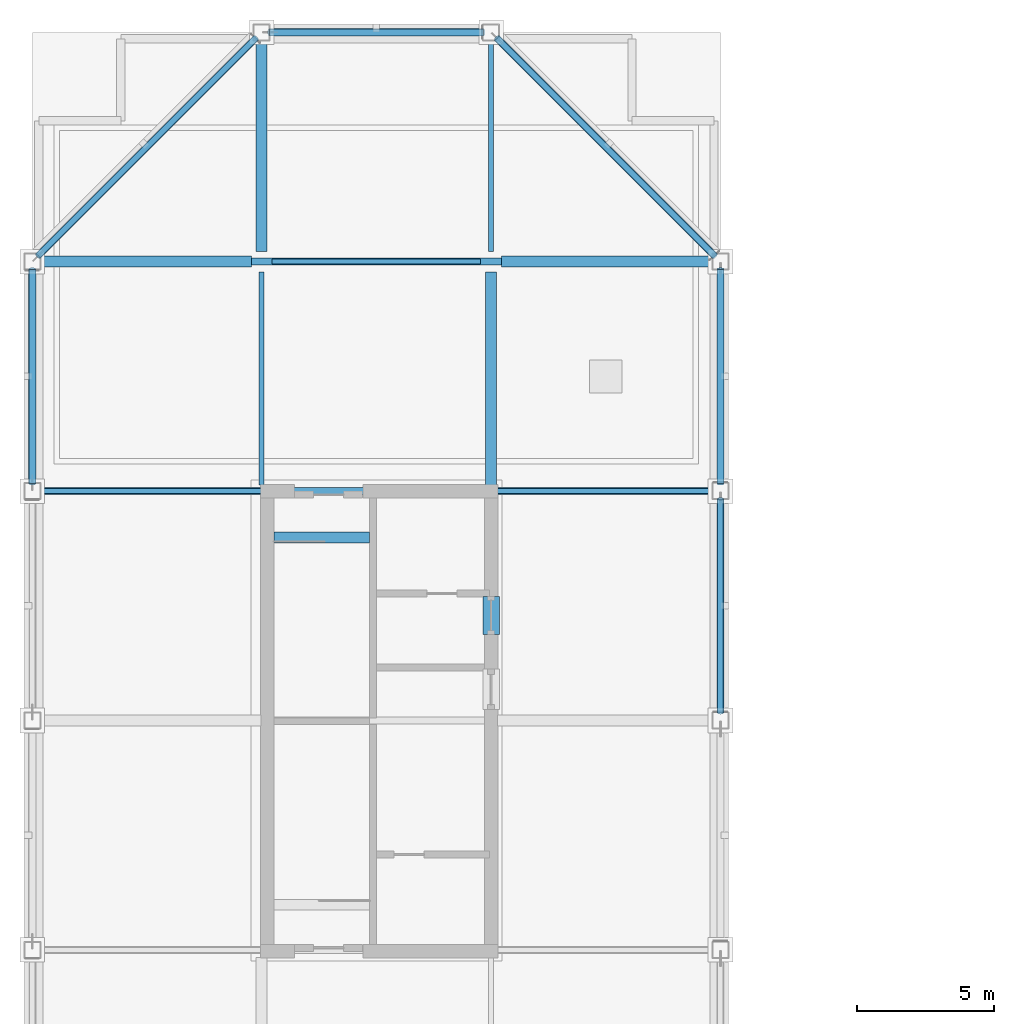
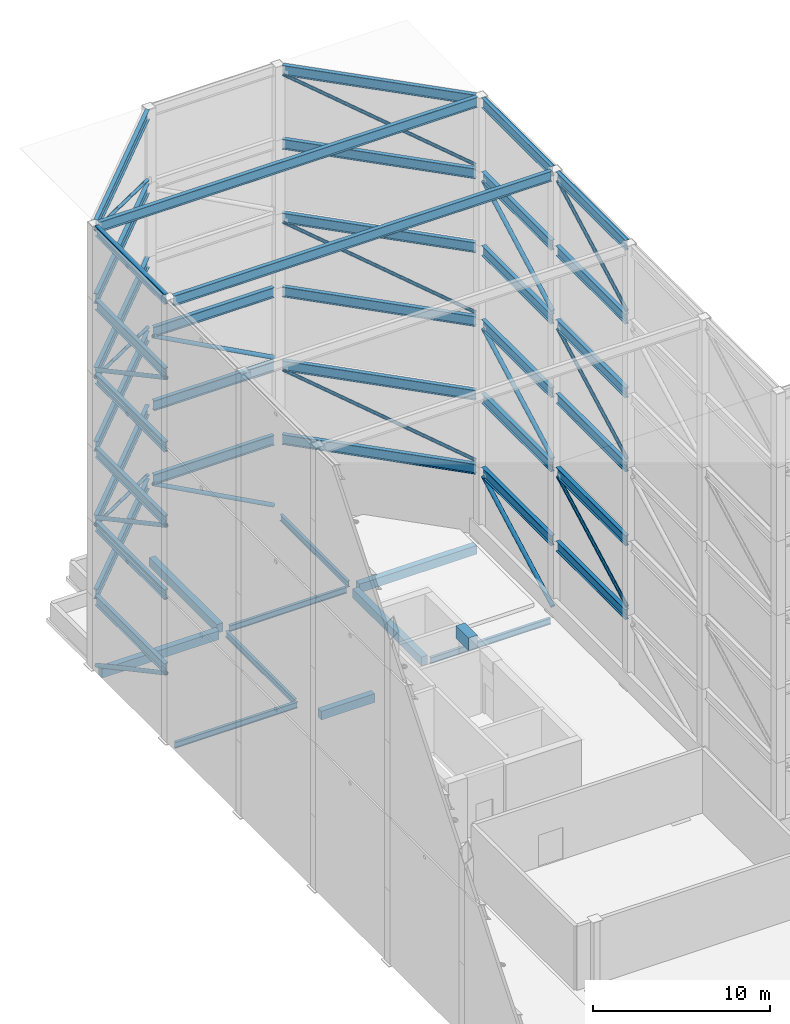
# One storey, part 6 of 17: 46 beams, 17 members.
"""IFC4 building model written with IfcOpenShell, lengths in metres."""

from ifc_helpers import new_model, si_unit, direction, frame, origin, origin_2d, place, context, subcontext, project, spatial, rectangle, hollow_circle, i_section, extrude, material, material_profile, profile_set, type_object, element, save


model = new_model("IFC4")

# Units and contexts
model_context = context("Model", 3, precision=1e-05, world=origin(), true_north=direction((0.0, 1.0)))
body_context = subcontext(model_context, "Body", "Model", "MODEL_VIEW")
ifc_project = project(units=[si_unit("LENGTHUNIT", "METRE"), si_unit("AREAUNIT", "SQUARE_METRE"), si_unit("VOLUMEUNIT", "CUBIC_METRE"), si_unit("PLANEANGLEUNIT", "RADIAN"), si_unit("MASSUNIT", "GRAM", prefix="KILO")], contexts=[model_context])

# Site, building, storey
site_placement = place(None, origin())
site = spatial("IfcSite", under=ifc_project, at=site_placement, CompositionType="ELEMENT")
building_placement = place(site_placement, origin())
building = spatial("IfcBuilding", under=site, at=building_placement, Name="Koriwani Terraces Tower", CompositionType="ELEMENT")
storey_placement = place(building_placement, frame((0.0, 0.0, 374.0)))
storey = spatial("IfcBuildingStorey", under=building, at=storey_placement, Name="RF", CompositionType="ELEMENT", Elevation=374.0)

# Beams
ifc_material_1 = material(Name="Concrete C50/60", Category="concrete")
ifc_material_profile_1 = material_profile(ifc_material_1, rectangle(XDim=0.60009765625, YDim=0.85009765625, at=origin_2d()), Name="Concrete C50/60", Category="LoadBearing")
ifc_profile_set_1 = profile_set([ifc_material_profile_1], Name="Concrete C50/60")
beam_type_1 = type_object("IfcBeamType", Name="BEAM_RC_COUPLING_600X850", PredefinedType="LINTEL", material=ifc_profile_set_1)
beam_1_placement = place(storey_placement, frame((25.199951171875, 53.550048828125, 3.97509765625), z_axis=(0.0, 1.0, 0.0), x_axis=(-1.0, 0.0, 0.0)))
element("IfcBeam", 1, at=beam_1_placement, inside=storey, type_object=beam_type_1, Name="RF Core Coupling Lintel Beam WE2", PredefinedType="LINTEL", context=body_context, shape_type="SweptSolid", body=[
    extrude(rectangle(XDim=0.60009765625, YDim=0.85009765625, at=origin_2d()), origin(), (0.0, 0.0, 1.0), 1.39990234375),
])
ifc_material_2 = material(Name="Concrete C40/50", Category="concrete")
ifc_material_profile_2 = material_profile(ifc_material_2, rectangle(XDim=0.39990234375, YDim=0.60009765625, at=origin_2d()), Name="Concrete C40/50", Category="LoadBearing")
ifc_profile_set_2 = profile_set([ifc_material_profile_2], Name="Concrete C40/50")
beam_type_2 = type_object("IfcBeamType", Name="BEAM_RC_GRID_400X600", PredefinedType="BEAM", material=ifc_profile_set_2)
beam_2_placement = place(storey_placement, frame((17.25, 57.094970703125, -0.300048828125), z_axis=(1.0, 0.0, 0.0), x_axis=(0.0, 1.0, 0.0)))
element("IfcBeam", 2, at=beam_2_placement, inside=storey, type_object=beam_type_2, Name="RF Stairwell Header Trimmer Beam ST-W2", PredefinedType="BEAM", context=body_context, shape_type="SweptSolid", body=[
    extrude(rectangle(XDim=0.39990234375, YDim=0.60009765625, at=origin_2d()), origin(), (0.0, 0.0, 1.0), 3.5),
])
for number, where, z_axis, x_axis, name in (
    (3, (8.780029296875, 67.199951171875, -0.580078125), (1.0, 0.0, 0.0), (0.0, 1.0, 0.0), "RF Grid Beam I (8.4-16.8m)"),
    (4, (25.580078125, 67.199951171875, -0.580078125), (1.0, 0.0, 0.0), (0.0, 1.0, 0.0), "RF Grid Beam I (25.2-33.6m)"),
    (5, (16.800048828125, 67.580078125, -0.580078125), (0.0, 1.0, 0.0), (-1.0, 0.0, 0.0), "RF Grid Beam 3 (67.2-75.6m)"),
):
    element("IfcBeam", number, at=place(storey_placement, frame(where, z_axis=z_axis, x_axis=x_axis)), inside=storey, type_object=beam_type_2, Name=name, PredefinedType="BEAM", context=body_context, shape_type="SweptSolid", body=[
        extrude(rectangle(XDim=0.39990234375, YDim=0.60009765625, at=origin_2d()), origin(), (0.0, 0.0, 1.0), 7.639892578125),
    ])
beam_3_placement = place(storey_placement, frame((25.199951171875, 59.030029296875, -0.580078125), z_axis=(0.0, 1.0, 0.0), x_axis=(-1.0, 0.0, 0.0)))
element("IfcBeam", 6, at=beam_3_placement, inside=storey, type_object=beam_type_2, Name="RF Grid Beam 4 (58.8-67.2m)", PredefinedType="BEAM", context=body_context, shape_type="SweptSolid", body=[
    extrude(rectangle(XDim=0.39990234375, YDim=0.60009765625, at=origin_2d()), origin(), (0.0, 0.0, 1.0), 7.7900390625),
])
ifc_material_3 = material(Name="Steel ASTM A572 Grade 50", Category="steel")
ifc_material_profile_3 = material_profile(ifc_material_3, i_section(OverallWidth=0.256103515625, OverallDepth=0.693115234375, WebThickness=0.014404296875, FlangeThickness=0.023681640625, at=origin_2d()), Name="Steel ASTM A572 Grade 50", Category="LoadBearing")
ifc_profile_set_3 = profile_set([ifc_material_profile_3], Name="Steel ASTM A572 Grade 50")
beam_type_3 = type_object("IfcBeamType", Name="CROWN_FRAME_BEAM_W690X170", PredefinedType="USERDEFINED", material=ifc_profile_set_3)
beam_4_placement = place(storey_placement, frame((33.60009765625, 50.679931640625, 20.013427734375), z_axis=(0.0, 1.0, 0.0), x_axis=(-1.0, 0.0, 0.0)))
element("IfcBeam", 7, at=beam_4_placement, inside=storey, type_object=beam_type_3, Name="CROWN FRAME Tier 4 Ring Beam S14", ObjectType="CROWN FRAME", PredefinedType="USERDEFINED", context=body_context, shape_type="SweptSolid", body=[
    extrude(i_section(OverallWidth=0.256103515625, OverallDepth=0.693115234375, WebThickness=0.014404296875, FlangeThickness=0.023681640625, at=origin_2d()), origin(), (0.0, 0.0, 1.0), 7.840087890625),
])
beam_5_placement = place(storey_placement, frame((33.60009765625, 59.080078125, 20.013427734375), z_axis=(0.0, 1.0, 0.0), x_axis=(-1.0, 0.0, 0.0)))
element("IfcBeam", 8, at=beam_5_placement, inside=storey, type_object=beam_type_3, Name="CROWN FRAME Tier 4 Ring Beam S15", ObjectType="CROWN FRAME", PredefinedType="USERDEFINED", context=body_context, shape_type="SweptSolid", body=[
    extrude(i_section(OverallWidth=0.256103515625, OverallDepth=0.693115234375, WebThickness=0.014404296875, FlangeThickness=0.023681640625, at=origin_2d()), origin(), (0.0, 0.0, 1.0), 7.83984375),
])
for number, where, z_axis, x_axis, name in (
    (9, (33.402099609375, 67.39794921875, 20.013427734375), (-0.707106781187, 0.707106781187, 0.0), (-0.707106781187, -0.707106781187, 0.0), "CROWN FRAME Tier 4 Ring Beam S16"),
    (10, (16.60205078125, 75.402099609375, 20.013427734375), (-0.707106781187, -0.707106781187, 0.0), (0.707106781187, -0.707106781187, 0.0), "CROWN FRAME Tier 4 Ring Beam S18"),
):
    element("IfcBeam", number, at=place(storey_placement, frame(where, z_axis=z_axis, x_axis=x_axis)), inside=storey, type_object=beam_type_3, Name=name, ObjectType="CROWN FRAME", PredefinedType="USERDEFINED", context=body_context, shape_type="SweptSolid", body=[
        extrude(i_section(OverallWidth=0.256103515625, OverallDepth=0.693115234375, WebThickness=0.014404296875, FlangeThickness=0.023681640625, at=origin_2d()), origin(), (0.0, 0.0, 1.0), 11.319580078125),
    ])
beam_6_placement = place(storey_placement, frame((8.39990234375, 66.919921875, 20.013427734375), z_axis=(0.0, -1.0, 0.0), x_axis=(1.0, 0.0, 0.0)))
element("IfcBeam", 11, at=beam_6_placement, inside=storey, type_object=beam_type_3, Name="CROWN FRAME Tier 4 Ring Beam S19", ObjectType="CROWN FRAME", PredefinedType="USERDEFINED", context=body_context, shape_type="SweptSolid", body=[
    extrude(i_section(OverallWidth=0.256103515625, OverallDepth=0.693115234375, WebThickness=0.014404296875, FlangeThickness=0.023681640625, at=origin_2d()), origin(), (0.0, 0.0, 1.0), 7.83984375),
])
beam_7_placement = place(storey_placement, frame((33.60009765625, 50.679931640625, 25.103515625), z_axis=(0.0, 1.0, 0.0), x_axis=(-1.0, 0.0, 0.0)))
element("IfcBeam", 12, at=beam_7_placement, inside=storey, type_object=beam_type_3, Name="CROWN FRAME Tier 5 Ring Beam S14", ObjectType="CROWN FRAME", PredefinedType="USERDEFINED", context=body_context, shape_type="SweptSolid", body=[
    extrude(i_section(OverallWidth=0.256103515625, OverallDepth=0.693115234375, WebThickness=0.014404296875, FlangeThickness=0.023681640625, at=origin_2d()), origin(), (0.0, 0.0, 1.0), 7.840087890625),
])
beam_8_placement = place(storey_placement, frame((33.60009765625, 59.080078125, 25.103515625), z_axis=(0.0, 1.0, 0.0), x_axis=(-1.0, 0.0, 0.0)))
element("IfcBeam", 13, at=beam_8_placement, inside=storey, type_object=beam_type_3, Name="CROWN FRAME Tier 5 Ring Beam S15", ObjectType="CROWN FRAME", PredefinedType="USERDEFINED", context=body_context, shape_type="SweptSolid", body=[
    extrude(i_section(OverallWidth=0.256103515625, OverallDepth=0.693115234375, WebThickness=0.014404296875, FlangeThickness=0.023681640625, at=origin_2d()), origin(), (0.0, 0.0, 1.0), 7.83984375),
])
for number, where, z_axis, x_axis, name in (
    (14, (33.402099609375, 67.39794921875, 25.103515625), (-0.707106781187, 0.707106781187, 0.0), (-0.707106781187, -0.707106781187, 0.0), "CROWN FRAME Tier 5 Ring Beam S16"),
    (15, (16.60205078125, 75.402099609375, 25.103515625), (-0.707106781187, -0.707106781187, 0.0), (0.707106781187, -0.707106781187, 0.0), "CROWN FRAME Tier 5 Ring Beam S18"),
):
    element("IfcBeam", number, at=place(storey_placement, frame(where, z_axis=z_axis, x_axis=x_axis)), inside=storey, type_object=beam_type_3, Name=name, ObjectType="CROWN FRAME", PredefinedType="USERDEFINED", context=body_context, shape_type="SweptSolid", body=[
        extrude(i_section(OverallWidth=0.256103515625, OverallDepth=0.693115234375, WebThickness=0.014404296875, FlangeThickness=0.023681640625, at=origin_2d()), origin(), (0.0, 0.0, 1.0), 11.319580078125),
    ])
beam_9_placement = place(storey_placement, frame((8.39990234375, 66.919921875, 25.103515625), z_axis=(0.0, -1.0, 0.0), x_axis=(1.0, 0.0, 0.0)))
element("IfcBeam", 16, at=beam_9_placement, inside=storey, type_object=beam_type_3, Name="CROWN FRAME Tier 5 Ring Beam S19", ObjectType="CROWN FRAME", PredefinedType="USERDEFINED", context=body_context, shape_type="SweptSolid", body=[
    extrude(i_section(OverallWidth=0.256103515625, OverallDepth=0.693115234375, WebThickness=0.014404296875, FlangeThickness=0.023681640625, at=origin_2d()), origin(), (0.0, 0.0, 1.0), 7.83984375),
])
beam_10_placement = place(storey_placement, frame((33.60009765625, 50.679931640625, 30.193603515625), z_axis=(0.0, 1.0, 0.0), x_axis=(-1.0, 0.0, 0.0)))
element("IfcBeam", 17, at=beam_10_placement, inside=storey, type_object=beam_type_3, Name="CROWN FRAME Tier 6 Ring Beam S14", ObjectType="CROWN FRAME", PredefinedType="USERDEFINED", context=body_context, shape_type="SweptSolid", body=[
    extrude(i_section(OverallWidth=0.256103515625, OverallDepth=0.693115234375, WebThickness=0.014404296875, FlangeThickness=0.023681640625, at=origin_2d()), origin(), (0.0, 0.0, 1.0), 7.840087890625),
])
beam_11_placement = place(storey_placement, frame((33.60009765625, 59.080078125, 30.193603515625), z_axis=(0.0, 1.0, 0.0), x_axis=(-1.0, 0.0, 0.0)))
element("IfcBeam", 18, at=beam_11_placement, inside=storey, type_object=beam_type_3, Name="CROWN FRAME Tier 6 Ring Beam S15", ObjectType="CROWN FRAME", PredefinedType="USERDEFINED", context=body_context, shape_type="SweptSolid", body=[
    extrude(i_section(OverallWidth=0.256103515625, OverallDepth=0.693115234375, WebThickness=0.014404296875, FlangeThickness=0.023681640625, at=origin_2d()), origin(), (0.0, 0.0, 1.0), 7.83984375),
])
for number, where, z_axis, x_axis, name in (
    (19, (33.402099609375, 67.39794921875, 30.193603515625), (-0.707106781187, 0.707106781187, 0.0), (-0.707106781187, -0.707106781187, 0.0), "CROWN FRAME Tier 6 Ring Beam S16"),
    (20, (16.60205078125, 75.402099609375, 30.193603515625), (-0.707106781187, -0.707106781187, 0.0), (0.707106781187, -0.707106781187, 0.0), "CROWN FRAME Tier 6 Ring Beam S18"),
):
    element("IfcBeam", number, at=place(storey_placement, frame(where, z_axis=z_axis, x_axis=x_axis)), inside=storey, type_object=beam_type_3, Name=name, ObjectType="CROWN FRAME", PredefinedType="USERDEFINED", context=body_context, shape_type="SweptSolid", body=[
        extrude(i_section(OverallWidth=0.256103515625, OverallDepth=0.693115234375, WebThickness=0.014404296875, FlangeThickness=0.023681640625, at=origin_2d()), origin(), (0.0, 0.0, 1.0), 11.319580078125),
    ])
beam_12_placement = place(storey_placement, frame((8.39990234375, 66.919921875, 30.193603515625), z_axis=(0.0, -1.0, 0.0), x_axis=(1.0, 0.0, 0.0)))
element("IfcBeam", 21, at=beam_12_placement, inside=storey, type_object=beam_type_3, Name="CROWN FRAME Tier 6 Ring Beam S19", ObjectType="CROWN FRAME", PredefinedType="USERDEFINED", context=body_context, shape_type="SweptSolid", body=[
    extrude(i_section(OverallWidth=0.256103515625, OverallDepth=0.693115234375, WebThickness=0.014404296875, FlangeThickness=0.023681640625, at=origin_2d()), origin(), (0.0, 0.0, 1.0), 7.83984375),
])
ifc_material_profile_4 = material_profile(ifc_material_3, i_section(OverallWidth=0.2548828125, OverallDepth=0.695068359375, WebThickness=0.015380859375, FlangeThickness=0.02490234375, at=origin_2d()), Name="Steel ASTM A572 Grade 50", Category="LoadBearing")
ifc_profile_set_4 = profile_set([ifc_material_profile_4], Name="Steel ASTM A572 Grade 50")
beam_type_4 = type_object("IfcBeamType", Name="CROWN_FRAME_BEAM_W690X217", PredefinedType="USERDEFINED", material=ifc_profile_set_4)
beam_13_placement = place(storey_placement, frame((33.60009765625, 50.679931640625, 4.742431640625), z_axis=(0.0, 1.0, 0.0), x_axis=(-1.0, 0.0, 0.0)))
element("IfcBeam", 22, at=beam_13_placement, inside=storey, type_object=beam_type_4, Name="CROWN FRAME Tier 1 Ring Beam S14", ObjectType="CROWN FRAME", PredefinedType="USERDEFINED", context=body_context, shape_type="SweptSolid", body=[
    extrude(i_section(OverallWidth=0.2548828125, OverallDepth=0.695068359375, WebThickness=0.015380859375, FlangeThickness=0.02490234375, at=origin_2d()), origin(), (0.0, 0.0, 1.0), 7.840087890625),
])
beam_14_placement = place(storey_placement, frame((33.60009765625, 59.080078125, 4.742431640625), z_axis=(0.0, 1.0, 0.0), x_axis=(-1.0, 0.0, 0.0)))
element("IfcBeam", 23, at=beam_14_placement, inside=storey, type_object=beam_type_4, Name="CROWN FRAME Tier 1 Ring Beam S15", ObjectType="CROWN FRAME", PredefinedType="USERDEFINED", context=body_context, shape_type="SweptSolid", body=[
    extrude(i_section(OverallWidth=0.2548828125, OverallDepth=0.695068359375, WebThickness=0.015380859375, FlangeThickness=0.02490234375, at=origin_2d()), origin(), (0.0, 0.0, 1.0), 7.83984375),
])
beam_15_placement = place(storey_placement, frame((33.402099609375, 67.39794921875, 4.742431640625), z_axis=(-0.707106781187, 0.707106781187, 0.0), x_axis=(-0.707106781187, -0.707106781187, 0.0)))
element("IfcBeam", 24, at=beam_15_placement, inside=storey, type_object=beam_type_4, Name="CROWN FRAME Tier 1 Ring Beam S16", ObjectType="CROWN FRAME", PredefinedType="USERDEFINED", context=body_context, shape_type="SweptSolid", body=[
    extrude(i_section(OverallWidth=0.2548828125, OverallDepth=0.695068359375, WebThickness=0.015380859375, FlangeThickness=0.02490234375, at=origin_2d()), origin(), (0.0, 0.0, 1.0), 11.319580078125),
])
beam_16_placement = place(storey_placement, frame((24.919921875, 75.60009765625, 4.742431640625), z_axis=(-1.0, 0.0, 0.0), x_axis=(0.0, -1.0, 0.0)))
element("IfcBeam", 25, at=beam_16_placement, inside=storey, type_object=beam_type_4, Name="CROWN FRAME Tier 1 Ring Beam S17", ObjectType="CROWN FRAME", PredefinedType="USERDEFINED", context=body_context, shape_type="SweptSolid", body=[
    extrude(i_section(OverallWidth=0.2548828125, OverallDepth=0.695068359375, WebThickness=0.015380859375, FlangeThickness=0.02490234375, at=origin_2d()), origin(), (0.0, 0.0, 1.0), 7.83984375),
])
beam_17_placement = place(storey_placement, frame((16.60205078125, 75.402099609375, 4.742431640625), z_axis=(-0.707106781187, -0.707106781187, 0.0), x_axis=(0.707106781187, -0.707106781187, 0.0)))
element("IfcBeam", 26, at=beam_17_placement, inside=storey, type_object=beam_type_4, Name="CROWN FRAME Tier 1 Ring Beam S18", ObjectType="CROWN FRAME", PredefinedType="USERDEFINED", context=body_context, shape_type="SweptSolid", body=[
    extrude(i_section(OverallWidth=0.2548828125, OverallDepth=0.695068359375, WebThickness=0.015380859375, FlangeThickness=0.02490234375, at=origin_2d()), origin(), (0.0, 0.0, 1.0), 11.319580078125),
])
beam_18_placement = place(storey_placement, frame((8.39990234375, 66.919921875, 4.742431640625), z_axis=(0.0, -1.0, 0.0), x_axis=(1.0, 0.0, 0.0)))
element("IfcBeam", 27, at=beam_18_placement, inside=storey, type_object=beam_type_4, Name="CROWN FRAME Tier 1 Ring Beam S19", ObjectType="CROWN FRAME", PredefinedType="USERDEFINED", context=body_context, shape_type="SweptSolid", body=[
    extrude(i_section(OverallWidth=0.2548828125, OverallDepth=0.695068359375, WebThickness=0.015380859375, FlangeThickness=0.02490234375, at=origin_2d()), origin(), (0.0, 0.0, 1.0), 7.83984375),
])
beam_19_placement = place(storey_placement, frame((33.60009765625, 50.679931640625, 9.83251953125), z_axis=(0.0, 1.0, 0.0), x_axis=(-1.0, 0.0, 0.0)))
element("IfcBeam", 28, at=beam_19_placement, inside=storey, type_object=beam_type_4, Name="CROWN FRAME Tier 2 Ring Beam S14", ObjectType="CROWN FRAME", PredefinedType="USERDEFINED", context=body_context, shape_type="SweptSolid", body=[
    extrude(i_section(OverallWidth=0.2548828125, OverallDepth=0.695068359375, WebThickness=0.015380859375, FlangeThickness=0.02490234375, at=origin_2d()), origin(), (0.0, 0.0, 1.0), 7.840087890625),
])
beam_20_placement = place(storey_placement, frame((33.60009765625, 59.080078125, 9.83251953125), z_axis=(0.0, 1.0, 0.0), x_axis=(-1.0, 0.0, 0.0)))
element("IfcBeam", 29, at=beam_20_placement, inside=storey, type_object=beam_type_4, Name="CROWN FRAME Tier 2 Ring Beam S15", ObjectType="CROWN FRAME", PredefinedType="USERDEFINED", context=body_context, shape_type="SweptSolid", body=[
    extrude(i_section(OverallWidth=0.2548828125, OverallDepth=0.695068359375, WebThickness=0.015380859375, FlangeThickness=0.02490234375, at=origin_2d()), origin(), (0.0, 0.0, 1.0), 7.83984375),
])
beam_21_placement = place(storey_placement, frame((33.402099609375, 67.39794921875, 9.83251953125), z_axis=(-0.707106781187, 0.707106781187, 0.0), x_axis=(-0.707106781187, -0.707106781187, 0.0)))
element("IfcBeam", 30, at=beam_21_placement, inside=storey, type_object=beam_type_4, Name="CROWN FRAME Tier 2 Ring Beam S16", ObjectType="CROWN FRAME", PredefinedType="USERDEFINED", context=body_context, shape_type="SweptSolid", body=[
    extrude(i_section(OverallWidth=0.2548828125, OverallDepth=0.695068359375, WebThickness=0.015380859375, FlangeThickness=0.02490234375, at=origin_2d()), origin(), (0.0, 0.0, 1.0), 11.319580078125),
])
beam_22_placement = place(storey_placement, frame((24.919921875, 75.60009765625, 9.83251953125), z_axis=(-1.0, 0.0, 0.0), x_axis=(0.0, -1.0, 0.0)))
element("IfcBeam", 31, at=beam_22_placement, inside=storey, type_object=beam_type_4, Name="CROWN FRAME Tier 2 Ring Beam S17", ObjectType="CROWN FRAME", PredefinedType="USERDEFINED", context=body_context, shape_type="SweptSolid", body=[
    extrude(i_section(OverallWidth=0.2548828125, OverallDepth=0.695068359375, WebThickness=0.015380859375, FlangeThickness=0.02490234375, at=origin_2d()), origin(), (0.0, 0.0, 1.0), 7.83984375),
])
beam_23_placement = place(storey_placement, frame((16.60205078125, 75.402099609375, 9.83251953125), z_axis=(-0.707106781187, -0.707106781187, 0.0), x_axis=(0.707106781187, -0.707106781187, 0.0)))
element("IfcBeam", 32, at=beam_23_placement, inside=storey, type_object=beam_type_4, Name="CROWN FRAME Tier 2 Ring Beam S18", ObjectType="CROWN FRAME", PredefinedType="USERDEFINED", context=body_context, shape_type="SweptSolid", body=[
    extrude(i_section(OverallWidth=0.2548828125, OverallDepth=0.695068359375, WebThickness=0.015380859375, FlangeThickness=0.02490234375, at=origin_2d()), origin(), (0.0, 0.0, 1.0), 11.319580078125),
])
beam_24_placement = place(storey_placement, frame((8.39990234375, 66.919921875, 9.83251953125), z_axis=(0.0, -1.0, 0.0), x_axis=(1.0, 0.0, 0.0)))
element("IfcBeam", 33, at=beam_24_placement, inside=storey, type_object=beam_type_4, Name="CROWN FRAME Tier 2 Ring Beam S19", ObjectType="CROWN FRAME", PredefinedType="USERDEFINED", context=body_context, shape_type="SweptSolid", body=[
    extrude(i_section(OverallWidth=0.2548828125, OverallDepth=0.695068359375, WebThickness=0.015380859375, FlangeThickness=0.02490234375, at=origin_2d()), origin(), (0.0, 0.0, 1.0), 7.83984375),
])
beam_25_placement = place(storey_placement, frame((33.60009765625, 50.679931640625, 14.922607421875), z_axis=(0.0, 1.0, 0.0), x_axis=(-1.0, 0.0, 0.0)))
element("IfcBeam", 34, at=beam_25_placement, inside=storey, type_object=beam_type_4, Name="CROWN FRAME Tier 3 Ring Beam S14", ObjectType="CROWN FRAME", PredefinedType="USERDEFINED", context=body_context, shape_type="SweptSolid", body=[
    extrude(i_section(OverallWidth=0.2548828125, OverallDepth=0.695068359375, WebThickness=0.015380859375, FlangeThickness=0.02490234375, at=origin_2d()), origin(), (0.0, 0.0, 1.0), 7.840087890625),
])
beam_26_placement = place(storey_placement, frame((33.60009765625, 59.080078125, 14.922607421875), z_axis=(0.0, 1.0, 0.0), x_axis=(-1.0, 0.0, 0.0)))
element("IfcBeam", 35, at=beam_26_placement, inside=storey, type_object=beam_type_4, Name="CROWN FRAME Tier 3 Ring Beam S15", ObjectType="CROWN FRAME", PredefinedType="USERDEFINED", context=body_context, shape_type="SweptSolid", body=[
    extrude(i_section(OverallWidth=0.2548828125, OverallDepth=0.695068359375, WebThickness=0.015380859375, FlangeThickness=0.02490234375, at=origin_2d()), origin(), (0.0, 0.0, 1.0), 7.83984375),
])
beam_27_placement = place(storey_placement, frame((33.402099609375, 67.39794921875, 14.922607421875), z_axis=(-0.707106781187, 0.707106781187, 0.0), x_axis=(-0.707106781187, -0.707106781187, 0.0)))
element("IfcBeam", 36, at=beam_27_placement, inside=storey, type_object=beam_type_4, Name="CROWN FRAME Tier 3 Ring Beam S16", ObjectType="CROWN FRAME", PredefinedType="USERDEFINED", context=body_context, shape_type="SweptSolid", body=[
    extrude(i_section(OverallWidth=0.2548828125, OverallDepth=0.695068359375, WebThickness=0.015380859375, FlangeThickness=0.02490234375, at=origin_2d()), origin(), (0.0, 0.0, 1.0), 11.319580078125),
])
beam_28_placement = place(storey_placement, frame((24.919921875, 75.60009765625, 14.922607421875), z_axis=(-1.0, 0.0, 0.0), x_axis=(0.0, -1.0, 0.0)))
element("IfcBeam", 37, at=beam_28_placement, inside=storey, type_object=beam_type_4, Name="CROWN FRAME Tier 3 Ring Beam S17", ObjectType="CROWN FRAME", PredefinedType="USERDEFINED", context=body_context, shape_type="SweptSolid", body=[
    extrude(i_section(OverallWidth=0.2548828125, OverallDepth=0.695068359375, WebThickness=0.015380859375, FlangeThickness=0.02490234375, at=origin_2d()), origin(), (0.0, 0.0, 1.0), 7.83984375),
])
beam_29_placement = place(storey_placement, frame((16.60205078125, 75.402099609375, 14.922607421875), z_axis=(-0.707106781187, -0.707106781187, 0.0), x_axis=(0.707106781187, -0.707106781187, 0.0)))
element("IfcBeam", 38, at=beam_29_placement, inside=storey, type_object=beam_type_4, Name="CROWN FRAME Tier 3 Ring Beam S18", ObjectType="CROWN FRAME", PredefinedType="USERDEFINED", context=body_context, shape_type="SweptSolid", body=[
    extrude(i_section(OverallWidth=0.2548828125, OverallDepth=0.695068359375, WebThickness=0.015380859375, FlangeThickness=0.02490234375, at=origin_2d()), origin(), (0.0, 0.0, 1.0), 11.319580078125),
])
beam_30_placement = place(storey_placement, frame((8.39990234375, 66.919921875, 14.922607421875), z_axis=(0.0, -1.0, 0.0), x_axis=(1.0, 0.0, 0.0)))
element("IfcBeam", 39, at=beam_30_placement, inside=storey, type_object=beam_type_4, Name="CROWN FRAME Tier 3 Ring Beam S19", ObjectType="CROWN FRAME", PredefinedType="USERDEFINED", context=body_context, shape_type="SweptSolid", body=[
    extrude(i_section(OverallWidth=0.2548828125, OverallDepth=0.695068359375, WebThickness=0.015380859375, FlangeThickness=0.02490234375, at=origin_2d()), origin(), (0.0, 0.0, 1.0), 7.83984375),
])
for number, where, z_axis, x_axis, name in (
    (40, (8.679931640625, 58.800048828125, 30.1923828125), (1.0, 0.0, 0.0), (0.0, 1.0, 0.0), "CROWN FRAME Cap Roof Tie Girder Y=58.8m"),
    (41, (8.679931640625, 67.199951171875, 30.1923828125), (1.0, 0.0, 0.0), (0.0, 1.0, 0.0), "CROWN FRAME Cap Roof Tie Girder Y=67.2m"),
):
    element("IfcBeam", number, at=place(storey_placement, frame(where, z_axis=z_axis, x_axis=x_axis)), inside=storey, type_object=beam_type_4, Name=name, ObjectType="CROWN FRAME", PredefinedType="USERDEFINED", context=body_context, shape_type="SweptSolid", body=[
        extrude(i_section(OverallWidth=0.2548828125, OverallDepth=0.695068359375, WebThickness=0.015380859375, FlangeThickness=0.02490234375, at=origin_2d()), origin(), (0.0, 0.0, 1.0), 24.64013671875),
    ])

# Members
ifc_material_profile_5 = material_profile(ifc_material_3, hollow_circle(Radius=0.109619140625, WallThickness=0.008056640625, at=origin_2d()), Name="Steel ASTM A572 Grade 50", Category="LoadBearing")
ifc_profile_set_5 = profile_set([ifc_material_profile_5], Name="Steel ASTM A572 Grade 50")
member_type_1 = type_object("IfcMemberType", Name="CROWN_FRAME_BRACE_CHS219X8", PredefinedType="USERDEFINED", material=ifc_profile_set_5)
member_1_placement = place(storey_placement, frame((33.60009765625, 50.679931640625, 5.2900390625), z_axis=(0.0, 0.880787078054, 0.473512537462), x_axis=(-1.0, 0.0, 0.0)))
element("IfcMember", 42, at=member_1_placement, inside=storey, type_object=member_type_1, Name="CROWN FRAME Tier 2 Diagonal Brace S14", ObjectType="CROWN FRAME", PredefinedType="USERDEFINED", context=body_context, shape_type="SweptSolid", body=[
    extrude(hollow_circle(Radius=0.109619140625, WallThickness=0.008056640625, at=origin_2d()), origin(), (0.0, 0.0, 1.0), 8.901123046875),
])
for number, where, z_axis, x_axis, name in (
    (43, (33.402099609375, 67.39794921875, 5.2900390625), (-0.662660273991, 0.662660273991, 0.348945156937), (-0.707106781187, -0.707106781187, 0.0), "CROWN FRAME Tier 2 Diagonal Brace S16"),
    (44, (16.60205078125, 75.402099609375, 5.2900390625), (-0.662660273991, -0.662660273991, 0.348945156937), (0.707106781187, -0.707106781187, 0.0), "CROWN FRAME Tier 2 Diagonal Brace S18"),
):
    element("IfcMember", number, at=place(storey_placement, frame(where, z_axis=z_axis, x_axis=x_axis)), inside=storey, type_object=member_type_1, Name=name, ObjectType="CROWN FRAME", PredefinedType="USERDEFINED", context=body_context, shape_type="SweptSolid", body=[
        extrude(hollow_circle(Radius=0.109619140625, WallThickness=0.008056640625, at=origin_2d()), origin(), (0.0, 0.0, 1.0), 12.078857421875),
    ])
member_2_placement = place(storey_placement, frame((33.60009765625, 50.679931640625, 15.469970703125), z_axis=(0.0, 0.880684117229, 0.47370400638), x_axis=(-1.0, 0.0, 0.0)))
element("IfcMember", 45, at=member_2_placement, inside=storey, type_object=member_type_1, Name="CROWN FRAME Tier 4 Diagonal Brace S14", ObjectType="CROWN FRAME", PredefinedType="USERDEFINED", context=body_context, shape_type="SweptSolid", body=[
    extrude(hollow_circle(Radius=0.109619140625, WallThickness=0.008056640625, at=origin_2d()), origin(), (0.0, 0.0, 1.0), 8.90234375),
])
for number, where, z_axis, x_axis, name in (
    (46, (33.402099609375, 67.39794921875, 15.469970703125), (-0.66261820344, 0.66261820344, 0.349104902486), (-0.707106781187, -0.707106781187, 0.0), "CROWN FRAME Tier 4 Diagonal Brace S16"),
    (47, (16.60205078125, 75.402099609375, 15.469970703125), (-0.66261820344, -0.66261820344, 0.349104902486), (0.707106781187, -0.707106781187, 0.0), "CROWN FRAME Tier 4 Diagonal Brace S18"),
):
    element("IfcMember", number, at=place(storey_placement, frame(where, z_axis=z_axis, x_axis=x_axis)), inside=storey, type_object=member_type_1, Name=name, ObjectType="CROWN FRAME", PredefinedType="USERDEFINED", context=body_context, shape_type="SweptSolid", body=[
        extrude(hollow_circle(Radius=0.109619140625, WallThickness=0.008056640625, at=origin_2d()), origin(), (0.0, 0.0, 1.0), 12.07958984375),
    ])
member_3_placement = place(storey_placement, frame((33.60009765625, 50.679931640625, 25.64990234375), z_axis=(0.0, 0.880684117229, 0.47370400638), x_axis=(-1.0, 0.0, 0.0)))
element("IfcMember", 48, at=member_3_placement, inside=storey, type_object=member_type_1, Name="CROWN FRAME Tier 6 Diagonal Brace S14", ObjectType="CROWN FRAME", PredefinedType="USERDEFINED", context=body_context, shape_type="SweptSolid", body=[
    extrude(hollow_circle(Radius=0.109619140625, WallThickness=0.008056640625, at=origin_2d()), origin(), (0.0, 0.0, 1.0), 8.90234375),
])
for number, where, z_axis, x_axis, name in (
    (49, (33.402099609375, 67.39794921875, 25.64990234375), (-0.66261820344, 0.66261820344, 0.349104902486), (-0.707106781187, -0.707106781187, 0.0), "CROWN FRAME Tier 6 Diagonal Brace S16"),
    (50, (16.60205078125, 75.402099609375, 25.64990234375), (-0.66261820344, -0.66261820344, 0.349104902486), (0.707106781187, -0.707106781187, 0.0), "CROWN FRAME Tier 6 Diagonal Brace S18"),
):
    element("IfcMember", number, at=place(storey_placement, frame(where, z_axis=z_axis, x_axis=x_axis)), inside=storey, type_object=member_type_1, Name=name, ObjectType="CROWN FRAME", PredefinedType="USERDEFINED", context=body_context, shape_type="SweptSolid", body=[
        extrude(hollow_circle(Radius=0.109619140625, WallThickness=0.008056640625, at=origin_2d()), origin(), (0.0, 0.0, 1.0), 12.07958984375),
    ])
ifc_material_profile_6 = material_profile(ifc_material_3, hollow_circle(Radius=0.136474609375, WallThickness=0.010009765625, at=origin_2d()), Name="Steel ASTM A572 Grade 50", Category="LoadBearing")
ifc_profile_set_6 = profile_set([ifc_material_profile_6], Name="Steel ASTM A572 Grade 50")
member_type_2 = type_object("IfcMemberType", Name="CROWN_FRAME_BRACE_CHS273X10", PredefinedType="USERDEFINED", material=ifc_profile_set_6)
for number, where, z_axis, x_axis, name in (
    (51, (33.60009765625, 59.080078125, 0.199951171875), (0.0, 0.880769488446, 0.473545254672), (-1.0, 0.0, 0.0), "CROWN FRAME Tier 1 Diagonal Brace S15"),
    (52, (24.919921875, 75.60009765625, 0.199951171875), (-0.880769488446, 0.0, 0.473545254672), (0.0, -1.0, 0.0), "CROWN FRAME Tier 1 Diagonal Brace S17"),
    (53, (8.39990234375, 66.919921875, 0.199951171875), (0.0, -0.880769488446, 0.473545254672), (1.0, 0.0, 0.0), "CROWN FRAME Tier 1 Diagonal Brace S19"),
    (54, (33.60009765625, 59.080078125, 10.3798828125), (0.0, 0.880769488446, 0.473545254672), (-1.0, 0.0, 0.0), "CROWN FRAME Tier 3 Diagonal Brace S15"),
    (55, (24.919921875, 75.60009765625, 10.3798828125), (-0.880769488446, 0.0, 0.473545254672), (0.0, -1.0, 0.0), "CROWN FRAME Tier 3 Diagonal Brace S17"),
    (56, (8.39990234375, 66.919921875, 10.3798828125), (0.0, -0.880769488446, 0.473545254672), (1.0, 0.0, 0.0), "CROWN FRAME Tier 3 Diagonal Brace S19"),
):
    element("IfcMember", number, at=place(storey_placement, frame(where, z_axis=z_axis, x_axis=x_axis)), inside=storey, type_object=member_type_2, Name=name, ObjectType="CROWN FRAME", PredefinedType="USERDEFINED", context=body_context, shape_type="SweptSolid", body=[
        extrude(hollow_circle(Radius=0.136474609375, WallThickness=0.010009765625, at=origin_2d()), origin(), (0.0, 0.0, 1.0), 8.901123046875),
    ])
for number, where, z_axis, x_axis, name in (
    (57, (33.60009765625, 59.080078125, 20.56005859375), (0.0, 0.880677963064, 0.473715447683), (-1.0, 0.0, 0.0), "CROWN FRAME Tier 5 Diagonal Brace S15"),
    (58, (8.39990234375, 66.919921875, 20.56005859375), (0.0, -0.880677963064, 0.473715447683), (1.0, 0.0, 0.0), "CROWN FRAME Tier 5 Diagonal Brace S19"),
):
    element("IfcMember", number, at=place(storey_placement, frame(where, z_axis=z_axis, x_axis=x_axis)), inside=storey, type_object=member_type_2, Name=name, ObjectType="CROWN FRAME", PredefinedType="USERDEFINED", context=body_context, shape_type="SweptSolid", body=[
        extrude(hollow_circle(Radius=0.136474609375, WallThickness=0.010009765625, at=origin_2d()), origin(), (0.0, 0.0, 1.0), 8.902099609375),
    ])

# Beams
ifc_material_profile_7 = material_profile(ifc_material_3, i_section(OverallWidth=0.180908203125, OverallDepth=0.4169921875, WebThickness=0.010986328125, FlangeThickness=0.018310546875, at=origin_2d()), Name="Steel ASTM A572 Grade 50", Category="LoadBearing")
ifc_profile_set_7 = profile_set([ifc_material_profile_7], Name="Steel ASTM A572 Grade 50")
beam_type_5 = type_object("IfcBeamType", Name="STEEL_BEAM_W410X85", PredefinedType="JOIST", material=ifc_profile_set_7)
beam_31_placement = place(storey_placement, frame((8.780029296875, 58.800048828125, -0.488525390625), z_axis=(1.0, 0.0, 0.0), x_axis=(0.0, 1.0, 0.0)))
element("IfcBeam", 59, at=beam_31_placement, inside=storey, type_object=beam_type_5, Name="RF Grid Beam H (8.4-16.8m)", PredefinedType="JOIST", context=body_context, shape_type="SweptSolid", body=[
    extrude(i_section(OverallWidth=0.180908203125, OverallDepth=0.4169921875, WebThickness=0.010986328125, FlangeThickness=0.018310546875, at=origin_2d()), origin(), (0.0, 0.0, 1.0), 7.989990234375),
])
beam_32_placement = place(storey_placement, frame((25.429931640625, 58.800048828125, -0.488525390625), z_axis=(1.0, 0.0, 0.0), x_axis=(0.0, 1.0, 0.0)))
element("IfcBeam", 60, at=beam_32_placement, inside=storey, type_object=beam_type_5, Name="RF Grid Beam H (25.2-33.6m)", PredefinedType="JOIST", context=body_context, shape_type="SweptSolid", body=[
    extrude(i_section(OverallWidth=0.180908203125, OverallDepth=0.4169921875, WebThickness=0.010986328125, FlangeThickness=0.018310546875, at=origin_2d()), origin(), (0.0, 0.0, 1.0), 7.840087890625),
])
beam_33_placement = place(storey_placement, frame((17.179931640625, 67.199951171875, -0.488525390625), z_axis=(1.0, 0.0, 0.0), x_axis=(0.0, 1.0, 0.0)))
element("IfcBeam", 61, at=beam_33_placement, inside=storey, type_object=beam_type_5, Name="RF Grid Beam I (16.8-25.2m)", PredefinedType="JOIST", context=body_context, shape_type="SweptSolid", body=[
    extrude(i_section(OverallWidth=0.180908203125, OverallDepth=0.4169921875, WebThickness=0.010986328125, FlangeThickness=0.018310546875, at=origin_2d()), origin(), (0.0, 0.0, 1.0), 7.64013671875),
])
beam_34_placement = place(storey_placement, frame((16.800048828125, 59.030029296875, -0.488525390625), z_axis=(0.0, 1.0, 0.0), x_axis=(-1.0, 0.0, 0.0)))
element("IfcBeam", 62, at=beam_34_placement, inside=storey, type_object=beam_type_5, Name="RF Grid Beam 3 (58.8-67.2m)", PredefinedType="JOIST", context=body_context, shape_type="SweptSolid", body=[
    extrude(i_section(OverallWidth=0.180908203125, OverallDepth=0.4169921875, WebThickness=0.010986328125, FlangeThickness=0.018310546875, at=origin_2d()), origin(), (0.0, 0.0, 1.0), 7.7900390625),
])
beam_35_placement = place(storey_placement, frame((25.199951171875, 67.580078125, -0.488525390625), z_axis=(0.0, 1.0, 0.0), x_axis=(-1.0, 0.0, 0.0)))
element("IfcBeam", 63, at=beam_35_placement, inside=storey, type_object=beam_type_5, Name="RF Grid Beam 4 (67.2-75.6m)", PredefinedType="JOIST", context=body_context, shape_type="SweptSolid", body=[
    extrude(i_section(OverallWidth=0.180908203125, OverallDepth=0.4169921875, WebThickness=0.010986328125, FlangeThickness=0.018310546875, at=origin_2d()), origin(), (0.0, 0.0, 1.0), 7.639892578125),
])

save(model, "model.ifc")
